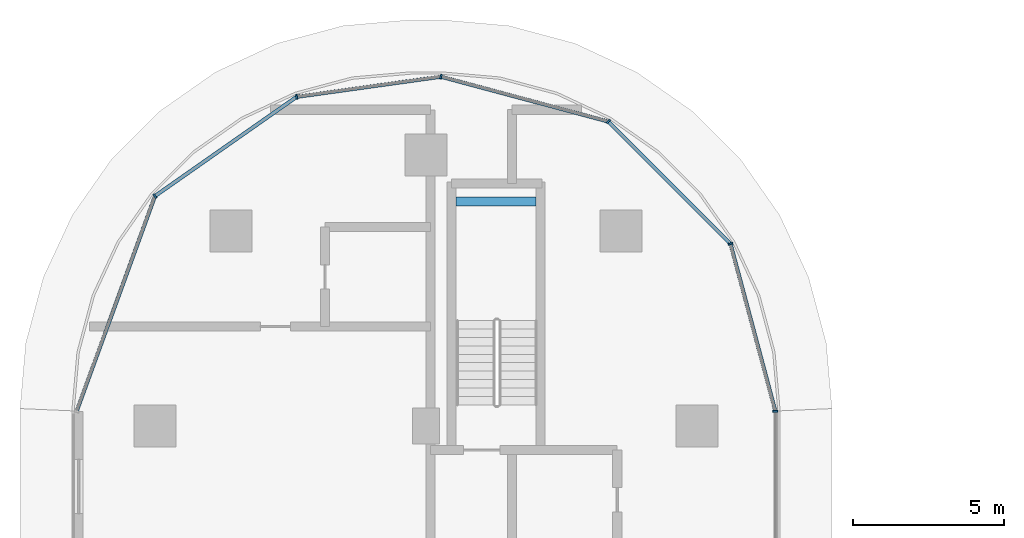
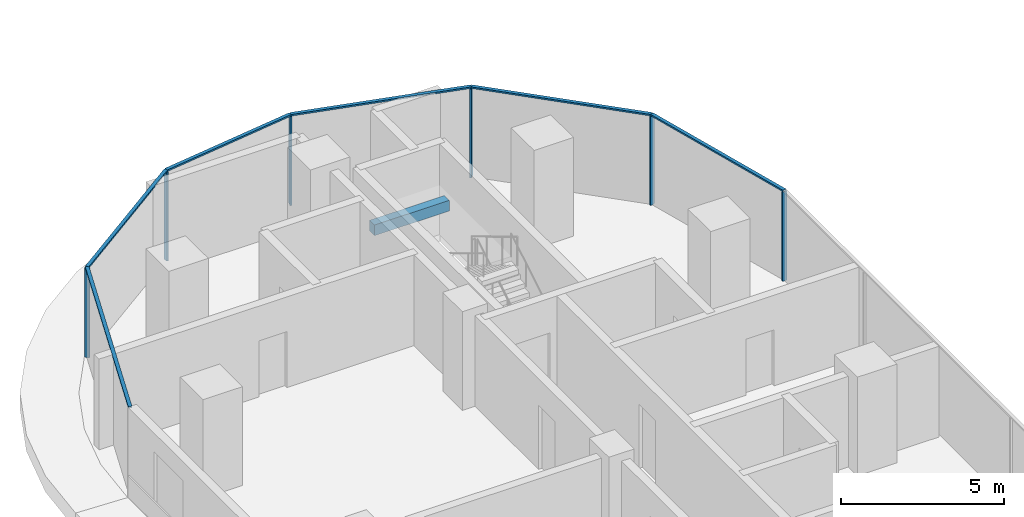
# One storey, part 7 of 36: 12 members, 1 beam, 2 elements without a shape of their own.
"""IFC4 building model written with IfcOpenShell, lengths in metres."""

from ifc_helpers import new_model, si_unit, direction, frame, origin, origin_2d, place, context, subcontext, project, spatial, rectangle, extrude, material, material_profile, profile_set, type_object, element, aggregate, save


model = new_model("IFC4")

# Units and contexts
model_context = context("Model", 3, precision=1e-05, world=origin(), true_north=direction((0.0, 1.0)))
body_context = subcontext(model_context, "Body", "Model", "MODEL_VIEW")
ifc_project = project(units=[si_unit("LENGTHUNIT", "METRE"), si_unit("AREAUNIT", "SQUARE_METRE"), si_unit("VOLUMEUNIT", "CUBIC_METRE"), si_unit("PLANEANGLEUNIT", "RADIAN"), si_unit("MASSUNIT", "GRAM", prefix="KILO")], contexts=[model_context])

# Site, building, storey
site_placement = place(None, origin())
site = spatial("IfcSite", under=ifc_project, at=site_placement, CompositionType="ELEMENT")
building_placement = place(site_placement, origin())
building = spatial("IfcBuilding", under=site, at=building_placement, Name="Ogive Portal Towers", CompositionType="ELEMENT")
storey_placement = place(building_placement, frame((0.0, 0.0, 63.10009765625)))
storey = spatial("IfcBuildingStorey", under=building, at=storey_placement, Name="L14", CompositionType="ELEMENT", Elevation=63.10009765625)

# Beam
ifc_material_1 = material(Name="Concrete C40/50", Category="concrete")
ifc_material_profile_1 = material_profile(ifc_material_1, rectangle(XDim=0.300048828125, YDim=0.39990234375, at=origin_2d()), Name="RC 300x400")
ifc_profile_set_1 = profile_set([ifc_material_profile_1], Name="Concrete C40/50")
beam_type = type_object("IfcBeamType", Name="BEAM RC 300x400", PredefinedType="BEAM", material=ifc_profile_set_1)
beam_placement = place(storey_placement, frame((41.5, 73.949951171875, 1.449951171875), z_axis=(1.0, 0.0, 0.0), x_axis=(0.0, 1.0, 0.0)))
element("IfcBeam", 1, at=beam_placement, inside=storey, type_object=beam_type, Name="Landing beam L14", PredefinedType="BEAM", context=body_context, shape_type="SweptSolid", body=[
    extrude(rectangle(XDim=0.300048828125, YDim=0.39990234375, at=origin_2d()), origin(), (0.0, 0.0, 1.0), 2.64990234375),
])

# Curtain wall, member
ifc_material_2 = material(Name="Glass, clear low-iron insulated glazing", Category="glass")
curtain_wall_type = type_object("IfcCurtainWallType", Name="CW FRONT RIBBON 4500", PredefinedType="NOTDEFINED", material=ifc_material_2)
curtain_wall_1_placement = place(storey_placement, origin())
curtain_wall_1 = element("IfcCurtainWall", 2, at=curtain_wall_1_placement, inside=storey, type_object=curtain_wall_type, Name="A:L14:f20:cw0", PredefinedType="NOTDEFINED")
ifc_material_3 = material(Name="Aluminium 6063 anodised", Category="aluminium")
ifc_material_profile_2 = material_profile(ifc_material_3, rectangle(XDim=0.159912109375, YDim=0.06005859375, at=origin_2d()), Name="AL 60x160")
ifc_profile_set_2 = profile_set([ifc_material_profile_2], Name="Aluminium 6063 anodised")
member_type_1 = type_object("IfcMemberType", Name="CW MULLION 60x160", PredefinedType="MULLION", material=ifc_profile_set_2)
member_1_placement = place(storey_placement, frame((52.10009765625, 66.989501953125, 0.0), z_axis=(0.0, 0.0, 1.0), x_axis=(-1.0, 0.0, 0.0)))
member_1 = element("IfcMember", 3, at=member_1_placement, type_object=member_type_1, Name="mullion", PredefinedType="MULLION", context=body_context, shape_type="SweptSolid", body=[
    extrude(rectangle(XDim=0.159912109375, YDim=0.06005859375, at=origin_2d()), origin(), (0.0, 0.0, 1.0), 3.33984375),
])
aggregate(curtain_wall_1, [member_1])

# Curtain wall, members
curtain_wall_2_placement = place(storey_placement, origin())
curtain_wall_2 = element("IfcCurtainWall", 4, at=curtain_wall_2_placement, inside=storey, type_object=curtain_wall_type, Name="A:L14:f21:cwa", PredefinedType="NOTDEFINED")
member_2_placement = place(storey_placement, frame((50.6103515625, 72.548583984375, 0.0), z_axis=(0.0, 0.0, 1.0), x_axis=(-0.965925826289, -0.258819045103, 0.0)))
member_2 = element("IfcMember", 5, at=member_2_placement, type_object=member_type_1, Name="mullion", PredefinedType="MULLION", context=body_context, shape_type="SweptSolid", body=[
    extrude(rectangle(XDim=0.159912109375, YDim=0.06005859375, at=origin_2d()), origin(), (0.0, 0.0, 1.0), 3.33984375),
])
member_3_placement = place(storey_placement, frame((46.548583984375, 76.6103515625, 0.0), z_axis=(0.0, 0.0, 1.0), x_axis=(-0.707106781187, -0.707106781187, 0.0)))
member_3 = element("IfcMember", 6, at=member_3_placement, type_object=member_type_1, Name="mullion", PredefinedType="MULLION", context=body_context, shape_type="SweptSolid", body=[
    extrude(rectangle(XDim=0.159912109375, YDim=0.06005859375, at=origin_2d()), origin(), (0.0, 0.0, 1.0), 3.33984375),
])
member_4_placement = place(storey_placement, frame((40.994873046875, 78.0986328125, 0.0), z_axis=(0.0, 0.0, 1.0), x_axis=(-0.258819045103, -0.965925826289, 0.0)))
member_4 = element("IfcMember", 7, at=member_4_placement, type_object=member_type_1, Name="mullion", PredefinedType="MULLION", context=body_context, shape_type="SweptSolid", body=[
    extrude(rectangle(XDim=0.159912109375, YDim=0.06005859375, at=origin_2d()), origin(), (0.0, 0.0, 1.0), 3.33984375),
])
member_5_placement = place(storey_placement, frame((36.206298828125, 77.42919921875, 0.0), z_axis=(0.0, 0.0, 1.0), x_axis=(0.13842766445, -0.990372546931, 0.0)))
member_5 = element("IfcMember", 8, at=member_5_placement, type_object=member_type_1, Name="mullion", PredefinedType="MULLION", context=body_context, shape_type="SweptSolid", body=[
    extrude(rectangle(XDim=0.159912109375, YDim=0.06005859375, at=origin_2d()), origin(), (0.0, 0.0, 1.0), 3.33984375),
])
member_6_placement = place(storey_placement, frame((31.502197265625, 74.13525390625, 0.0), z_axis=(0.0, 0.0, 1.0), x_axis=(0.573576436351, -0.819152044289, 0.0)))
member_6 = element("IfcMember", 9, at=member_6_placement, type_object=member_type_1, Name="mullion", PredefinedType="MULLION", context=body_context, shape_type="SweptSolid", body=[
    extrude(rectangle(XDim=0.159912109375, YDim=0.06005859375, at=origin_2d()), origin(), (0.0, 0.0, 1.0), 3.33984375),
])
ifc_material_profile_3 = material_profile(ifc_material_3, rectangle(XDim=0.1201171875, YDim=0.06005859375, at=origin_2d()), Name="AL 120x60")
ifc_profile_set_3 = profile_set([ifc_material_profile_3], Name="Aluminium 6063 anodised")
member_type_2 = type_object("IfcMemberType", Name="CW TRANSOM 60x120", PredefinedType="USERDEFINED", material=ifc_profile_set_3)
member_7_placement = place(storey_placement, frame((52.10009765625, 66.989501953125, 3.369873046875), z_axis=(-0.258850584986, 0.965917374651, 0.0), x_axis=(-0.965917374651, -0.258850584986, 0.0)))
member_7 = element("IfcMember", 10, at=member_7_placement, type_object=member_type_2, Name="transom", ObjectType="TRANSOM", PredefinedType="USERDEFINED", context=body_context, shape_type="SweptSolid", body=[
    extrude(rectangle(XDim=0.1201171875, YDim=0.06005859375, at=origin_2d()), origin(), (0.0, 0.0, 1.0), 5.755126953125),
])
member_8_placement = place(storey_placement, frame((50.6103515625, 72.548583984375, 3.369873046875), z_axis=(-0.707106781187, 0.707106781187, 0.0), x_axis=(-0.707106781187, -0.707106781187, 0.0)))
member_8 = element("IfcMember", 11, at=member_8_placement, type_object=member_type_2, Name="transom", ObjectType="TRANSOM", PredefinedType="USERDEFINED", context=body_context, shape_type="SweptSolid", body=[
    extrude(rectangle(XDim=0.1201171875, YDim=0.06005859375, at=origin_2d()), origin(), (0.0, 0.0, 1.0), 5.744140625),
])
member_9_placement = place(storey_placement, frame((46.548583984375, 76.6103515625, 3.369873046875), z_axis=(-0.965918482464, 0.258846451077, 0.0), x_axis=(-0.258846451077, -0.965918482464, 0.0)))
member_9 = element("IfcMember", 12, at=member_9_placement, type_object=member_type_2, Name="transom", ObjectType="TRANSOM", PredefinedType="USERDEFINED", context=body_context, shape_type="SweptSolid", body=[
    extrude(rectangle(XDim=0.1201171875, YDim=0.06005859375, at=origin_2d()), origin(), (0.0, 0.0, 1.0), 5.749755859375),
])
member_10_placement = place(storey_placement, frame((40.994873046875, 78.0986328125, 3.369873046875), z_axis=(-0.99036918244, -0.138451733367, 0.0), x_axis=(0.138451733367, -0.99036918244, 0.0)))
member_10 = element("IfcMember", 13, at=member_10_placement, type_object=member_type_2, Name="transom", ObjectType="TRANSOM", PredefinedType="USERDEFINED", context=body_context, shape_type="SweptSolid", body=[
    extrude(rectangle(XDim=0.1201171875, YDim=0.06005859375, at=origin_2d()), origin(), (0.0, 0.0, 1.0), 4.835205078125),
])
member_11_placement = place(storey_placement, frame((36.206298828125, 77.42919921875, 3.369873046875), z_axis=(-0.819144031298, -0.573587879918, 0.0), x_axis=(0.573587879918, -0.819144031298, 0.0)))
member_11 = element("IfcMember", 14, at=member_11_placement, type_object=member_type_2, Name="transom", ObjectType="TRANSOM", PredefinedType="USERDEFINED", context=body_context, shape_type="SweptSolid", body=[
    extrude(rectangle(XDim=0.1201171875, YDim=0.06005859375, at=origin_2d()), origin(), (0.0, 0.0, 1.0), 5.74267578125),
])
member_12_placement = place(storey_placement, frame((31.502197265625, 74.13525390625, 3.369873046875), z_axis=(-0.342034187854, -0.939687508877, 0.0), x_axis=(0.939687508877, -0.342034187854, 0.0)))
member_12 = element("IfcMember", 15, at=member_12_placement, type_object=member_type_2, Name="transom", ObjectType="TRANSOM", PredefinedType="USERDEFINED", context=body_context, shape_type="SweptSolid", body=[
    extrude(rectangle(XDim=0.1201171875, YDim=0.06005859375, at=origin_2d()), origin(), (0.0, 0.0, 1.0), 7.6083984375),
])
aggregate(curtain_wall_2, [member_7, member_8, member_9, member_10, member_11, member_12, member_2, member_3, member_4, member_5, member_6])

save(model, "model.ifc")
